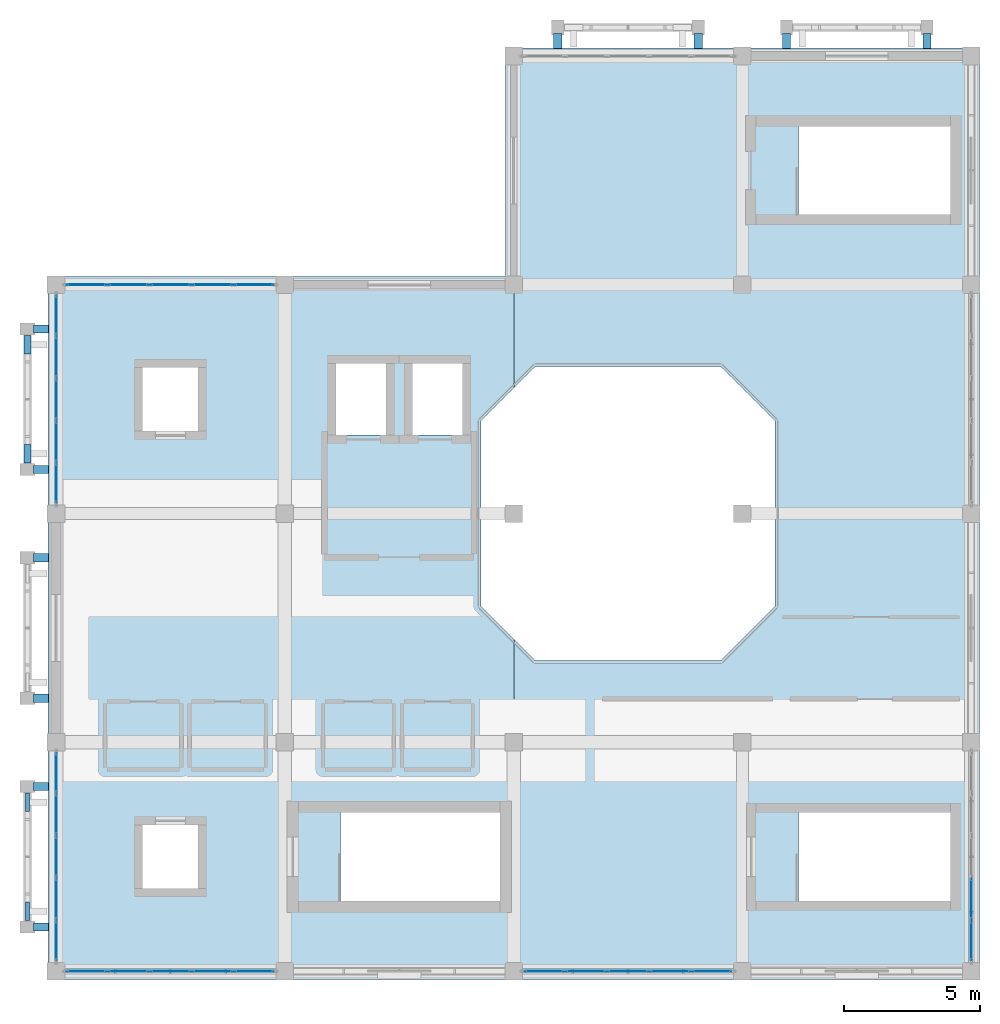
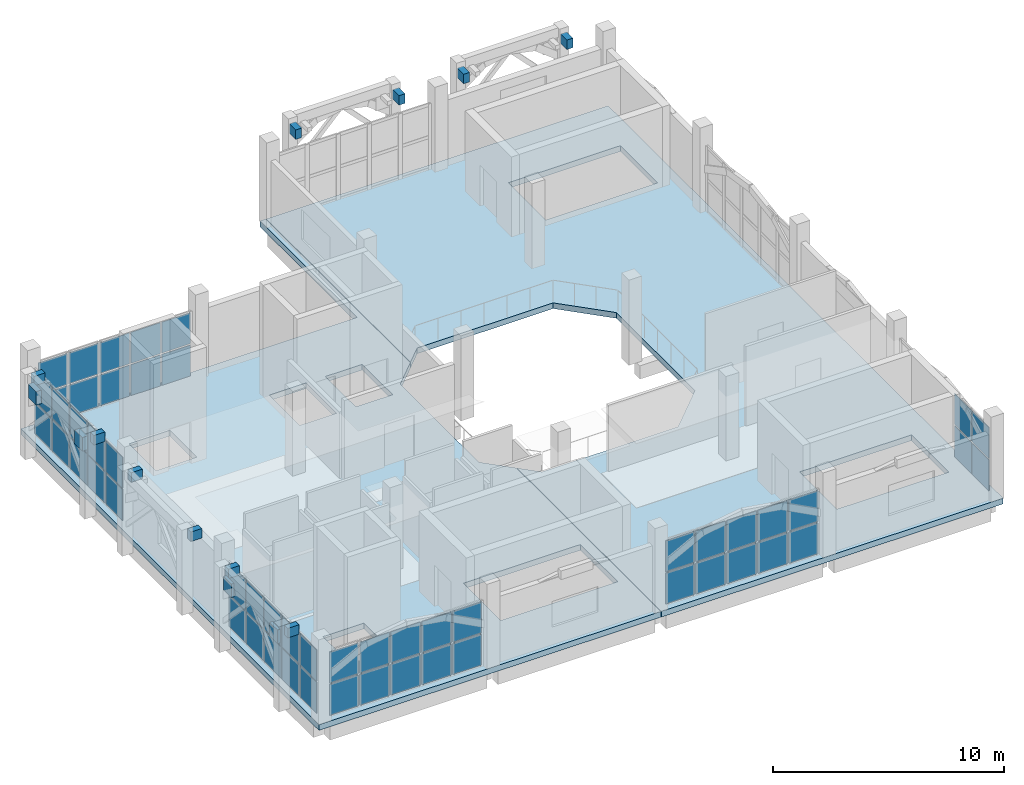
# One storey, part 12 of 16: 58 plates, 10 beams, 2 slabs, 6 elements without a shape of their own.
"""IFC4 building model written with IfcOpenShell, lengths in metres."""

from ifc_helpers import new_model, si_unit, direction, frame, origin, origin_2d, place, context, subcontext, project, spatial, polyline, rectangle, outline, extrude, material, layer, layer_set, material_profile, profile_set, type_object, element, aggregate, save


model = new_model("IFC4")

# Units and contexts
model_context = context("Model", 3, precision=1e-05, world=origin(), true_north=direction((0.0, 1.0)))
body_context = subcontext(model_context, "Body", "Model", "MODEL_VIEW")
ifc_project = project(units=[si_unit("LENGTHUNIT", "METRE"), si_unit("AREAUNIT", "SQUARE_METRE"), si_unit("VOLUMEUNIT", "CUBIC_METRE"), si_unit("PLANEANGLEUNIT", "RADIAN"), si_unit("MASSUNIT", "GRAM", prefix="KILO")], contexts=[model_context])

# Site, building, storey
site_placement = place(None, origin())
site = spatial("IfcSite", under=ifc_project, at=site_placement, CompositionType="ELEMENT")
building_placement = place(site_placement, origin())
building = spatial("IfcBuilding", under=site, at=building_placement, Name="Xazarin Passage Department Store", CompositionType="ELEMENT")
storey_placement = place(building_placement, frame((0.0, 0.0, 32.39990234375)))
storey = spatial("IfcBuildingStorey", under=building, at=storey_placement, Name="L07", CompositionType="ELEMENT", Elevation=32.39990234375)

# Beams
ifc_material_1 = material(Name="Concrete C35/45", Category="concrete")
ifc_material_profile = material_profile(ifc_material_1, rectangle(XDim=0.300048828125, YDim=0.5, at=origin_2d()), Name="RC 300x500")
ifc_profile_set = profile_set([ifc_material_profile], Name="Concrete C35/45")
beam_type = type_object("IfcBeamType", Name="STR-BM-LN300x500", PredefinedType="LINTEL", material=ifc_profile_set)
for number, where, z_axis, x_axis, name in (
    (1, (18.419921875, 110.280029296875, 3.9501953125), (0.0, 1.0, 0.0), (-1.0, 0.0, 0.0), "L07 V1 Colonnade Tie Rib 001L"),
    (2, (23.580078125, 110.280029296875, 3.9501953125), (0.0, 1.0, 0.0), (-1.0, 0.0, 0.0), "L07 V1 Colonnade Tie Rib 001R"),
    (3, (26.820068359375, 110.280029296875, 3.9501953125), (0.0, 1.0, 0.0), (-1.0, 0.0, 0.0), "L07 V1 Colonnade Tie Rib 002L"),
    (4, (31.97998046875, 110.280029296875, 3.9501953125), (0.0, 1.0, 0.0), (-1.0, 0.0, 0.0), "L07 V1 Colonnade Tie Rib 002R"),
    (5, (-0.280029296875, 78.02001953125, 3.9501953125), (-1.0, 0.0, 0.0), (0.0, -1.0, 0.0), "L07 V1 Colonnade Tie Rib 011L"),
    (6, (-0.280029296875, 83.179931640625, 3.9501953125), (-1.0, 0.0, 0.0), (0.0, -1.0, 0.0), "L07 V1 Colonnade Tie Rib 011R"),
    (7, (-0.280029296875, 86.419921875, 3.9501953125), (-1.0, 0.0, 0.0), (0.0, -1.0, 0.0), "L07 V1 Colonnade Tie Rib 012L"),
    (8, (-0.280029296875, 91.580078125, 3.9501953125), (-1.0, 0.0, 0.0), (0.0, -1.0, 0.0), "L07 V1 Colonnade Tie Rib 012R"),
    (9, (-0.280029296875, 94.820068359375, 3.9501953125), (-1.0, 0.0, 0.0), (0.0, -1.0, 0.0), "L07 V1 Colonnade Tie Rib 013L"),
    (10, (-0.280029296875, 99.97998046875, 3.9501953125), (-1.0, 0.0, 0.0), (0.0, -1.0, 0.0), "L07 V1 Colonnade Tie Rib 013R"),
):
    element("IfcBeam", number, at=place(storey_placement, frame(where, z_axis=z_axis, x_axis=x_axis)), inside=storey, type_object=beam_type, Name=name, PredefinedType="LINTEL", context=body_context, shape_type="SweptSolid", body=[
        extrude(rectangle(XDim=0.300048828125, YDim=0.5, at=origin_2d()), origin(), (0.0, 0.0, 1.0), 0.550048828125),
    ])

# Curtain wall, plates
ifc_material_2 = material(Name="Bronze anodised aluminium", Category="aluminium")
ifc_layer_1 = layer(ifc_material_2, 0.199951171875)
ifc_layer_set_1 = layer_set([ifc_layer_1], Name="Bronze anodised aluminium")
curtain_wall_type = type_object("IfcCurtainWallType", Name="ARC-CW-VIT2", PredefinedType="NOTDEFINED", material=ifc_layer_set_1)
curtain_wall_1_placement = place(storey_placement, origin())
curtain_wall_1 = element("IfcCurtainWall", 11, at=curtain_wall_1_placement, inside=storey, type_object=curtain_wall_type, Name="L07 V1 Curtain Wall 091", PredefinedType="NOTDEFINED")
ifc_material_3 = material(Name="Low-E laminated safety glass", Category="glass")
ifc_layer_2 = layer(ifc_material_3, 0.031982421875)
ifc_layer_set_2 = layer_set([ifc_layer_2], Name="Low-E laminated safety glass")
plate_type_1 = type_object("IfcPlateType", Name="ARC-CWP-GLZ32", PredefinedType="CURTAIN_PANEL", material=ifc_layer_set_2)
plate_1_placement = place(storey_placement, frame((1.11865234375, 76.39990234375, 0.0751953125), z_axis=(0.0, 0.0, 1.0), x_axis=(1.0, 0.0, 0.0)))
plate_1 = element("IfcPlate", 12, at=plate_1_placement, type_object=plate_type_1, Name="CW2 panel 1.1", PredefinedType="CURTAIN_PANEL", context=body_context, shape_type="SweptSolid", body=[
    extrude(rectangle(XDim=1.4375, YDim=0.031982421875, at=origin_2d()), origin(), (0.0, 0.0, 1.0), 1.632568359375),
])
plate_2_placement = place(storey_placement, frame((1.11865234375, 76.39990234375, 1.78271484375), z_axis=(0.0, 0.0, 1.0), x_axis=(1.0, 0.0, 0.0)))
plate_2 = element("IfcPlate", 13, at=plate_2_placement, type_object=plate_type_1, Name="CW2 panel 1.2", PredefinedType="CURTAIN_PANEL", context=body_context, shape_type="SweptSolid", body=[
    extrude(rectangle(XDim=1.4375, YDim=0.031982421875, at=origin_2d()), origin(), (0.0, 0.0, 1.0), 1.632568359375),
])
plate_3_placement = place(storey_placement, frame((2.64990234375, 76.39990234375, 0.0751953125), z_axis=(0.0, 0.0, 1.0), x_axis=(1.0, 0.0, 0.0)))
plate_3 = element("IfcPlate", 14, at=plate_3_placement, type_object=plate_type_1, Name="CW2 panel 2.1", PredefinedType="CURTAIN_PANEL", context=body_context, shape_type="SweptSolid", body=[
    extrude(rectangle(XDim=1.47509765625, YDim=0.031982421875, at=origin_2d()), origin(), (0.0, 0.0, 1.0), 1.632568359375),
])
plate_4_placement = place(storey_placement, frame((2.64990234375, 76.39990234375, 1.78271484375), z_axis=(0.0, 0.0, 1.0), x_axis=(1.0, 0.0, 0.0)))
plate_4 = element("IfcPlate", 15, at=plate_4_placement, type_object=plate_type_1, Name="CW2 panel 2.2", PredefinedType="CURTAIN_PANEL", context=body_context, shape_type="SweptSolid", body=[
    extrude(rectangle(XDim=1.47509765625, YDim=0.031982421875, at=origin_2d()), origin(), (0.0, 0.0, 1.0), 1.632568359375),
])
plate_5_placement = place(storey_placement, frame((4.199951171875, 76.39990234375, 0.0751953125), z_axis=(0.0, 0.0, 1.0), x_axis=(1.0, 0.0, 0.0)))
plate_5 = element("IfcPlate", 16, at=plate_5_placement, type_object=plate_type_1, Name="CW2 panel 3.1", PredefinedType="CURTAIN_PANEL", context=body_context, shape_type="SweptSolid", body=[
    extrude(rectangle(XDim=1.47509765625, YDim=0.031982421875, at=origin_2d()), origin(), (0.0, 0.0, 1.0), 1.632568359375),
])
plate_6_placement = place(storey_placement, frame((4.199951171875, 76.39990234375, 1.78271484375), z_axis=(0.0, 0.0, 1.0), x_axis=(1.0, 0.0, 0.0)))
plate_6 = element("IfcPlate", 17, at=plate_6_placement, type_object=plate_type_1, Name="CW2 panel 3.2", PredefinedType="CURTAIN_PANEL", context=body_context, shape_type="SweptSolid", body=[
    extrude(rectangle(XDim=1.47509765625, YDim=0.031982421875, at=origin_2d()), origin(), (0.0, 0.0, 1.0), 1.632568359375),
])
plate_7_placement = place(storey_placement, frame((5.75, 76.39990234375, 0.0751953125), z_axis=(0.0, 0.0, 1.0), x_axis=(1.0, 0.0, 0.0)))
plate_7 = element("IfcPlate", 18, at=plate_7_placement, type_object=plate_type_1, Name="CW2 panel 4.1", PredefinedType="CURTAIN_PANEL", context=body_context, shape_type="SweptSolid", body=[
    extrude(rectangle(XDim=1.47509765625, YDim=0.031982421875, at=origin_2d()), origin(), (0.0, 0.0, 1.0), 1.632568359375),
])
plate_8_placement = place(storey_placement, frame((5.75, 76.39990234375, 1.78271484375), z_axis=(0.0, 0.0, 1.0), x_axis=(1.0, 0.0, 0.0)))
plate_8 = element("IfcPlate", 19, at=plate_8_placement, type_object=plate_type_1, Name="CW2 panel 4.2", PredefinedType="CURTAIN_PANEL", context=body_context, shape_type="SweptSolid", body=[
    extrude(rectangle(XDim=1.47509765625, YDim=0.031982421875, at=origin_2d()), origin(), (0.0, 0.0, 1.0), 1.632568359375),
])
plate_9_placement = place(storey_placement, frame((7.28125, 76.39990234375, 0.0751953125), z_axis=(0.0, 0.0, 1.0), x_axis=(1.0, 0.0, 0.0)))
plate_9 = element("IfcPlate", 20, at=plate_9_placement, type_object=plate_type_1, Name="CW2 panel 5.1", PredefinedType="CURTAIN_PANEL", context=body_context, shape_type="SweptSolid", body=[
    extrude(rectangle(XDim=1.4375, YDim=0.031982421875, at=origin_2d()), origin(), (0.0, 0.0, 1.0), 1.632568359375),
])
plate_10_placement = place(storey_placement, frame((7.28125, 76.39990234375, 1.78271484375), z_axis=(0.0, 0.0, 1.0), x_axis=(1.0, 0.0, 0.0)))
plate_10 = element("IfcPlate", 21, at=plate_10_placement, type_object=plate_type_1, Name="CW2 panel 5.2", PredefinedType="CURTAIN_PANEL", context=body_context, shape_type="SweptSolid", body=[
    extrude(rectangle(XDim=1.4375, YDim=0.031982421875, at=origin_2d()), origin(), (0.0, 0.0, 1.0), 1.632568359375),
])
aggregate(curtain_wall_1, [plate_1, plate_2, plate_3, plate_4, plate_5, plate_6, plate_7, plate_8, plate_9, plate_10])

curtain_wall_2_placement = place(storey_placement, origin())
curtain_wall_2 = element("IfcCurtainWall", 22, at=curtain_wall_2_placement, inside=storey, type_object=curtain_wall_type, Name="L07 V1 Curtain Wall 092", PredefinedType="NOTDEFINED")
plate_11_placement = place(storey_placement, frame((17.918701171875, 76.39990234375, 0.0751953125), z_axis=(0.0, 0.0, 1.0), x_axis=(1.0, 0.0, 0.0)))
plate_11 = element("IfcPlate", 23, at=plate_11_placement, type_object=plate_type_1, Name="CW2 panel 1.1", PredefinedType="CURTAIN_PANEL", context=body_context, shape_type="SweptSolid", body=[
    extrude(rectangle(XDim=1.4375, YDim=0.031982421875, at=origin_2d()), origin(), (0.0, 0.0, 1.0), 1.632568359375),
])
plate_12_placement = place(storey_placement, frame((17.918701171875, 76.39990234375, 1.78271484375), z_axis=(0.0, 0.0, 1.0), x_axis=(1.0, 0.0, 0.0)))
plate_12 = element("IfcPlate", 24, at=plate_12_placement, type_object=plate_type_1, Name="CW2 panel 1.2", PredefinedType="CURTAIN_PANEL", context=body_context, shape_type="SweptSolid", body=[
    extrude(rectangle(XDim=1.4375, YDim=0.031982421875, at=origin_2d()), origin(), (0.0, 0.0, 1.0), 1.632568359375),
])
plate_13_placement = place(storey_placement, frame((19.449951171875, 76.39990234375, 0.0751953125), z_axis=(0.0, 0.0, 1.0), x_axis=(1.0, 0.0, 0.0)))
plate_13 = element("IfcPlate", 25, at=plate_13_placement, type_object=plate_type_1, Name="CW2 panel 2.1", PredefinedType="CURTAIN_PANEL", context=body_context, shape_type="SweptSolid", body=[
    extrude(rectangle(XDim=1.47509765625, YDim=0.031982421875, at=origin_2d()), origin(), (0.0, 0.0, 1.0), 1.632568359375),
])
plate_14_placement = place(storey_placement, frame((19.449951171875, 76.39990234375, 1.78271484375), z_axis=(0.0, 0.0, 1.0), x_axis=(1.0, 0.0, 0.0)))
plate_14 = element("IfcPlate", 26, at=plate_14_placement, type_object=plate_type_1, Name="CW2 panel 2.2", PredefinedType="CURTAIN_PANEL", context=body_context, shape_type="SweptSolid", body=[
    extrude(rectangle(XDim=1.47509765625, YDim=0.031982421875, at=origin_2d()), origin(), (0.0, 0.0, 1.0), 1.632568359375),
])
plate_15_placement = place(storey_placement, frame((21.0, 76.39990234375, 0.0751953125), z_axis=(0.0, 0.0, 1.0), x_axis=(1.0, 0.0, 0.0)))
plate_15 = element("IfcPlate", 27, at=plate_15_placement, type_object=plate_type_1, Name="CW2 panel 3.1", PredefinedType="CURTAIN_PANEL", context=body_context, shape_type="SweptSolid", body=[
    extrude(rectangle(XDim=1.47509765625, YDim=0.031982421875, at=origin_2d()), origin(), (0.0, 0.0, 1.0), 1.632568359375),
])
plate_16_placement = place(storey_placement, frame((21.0, 76.39990234375, 1.78271484375), z_axis=(0.0, 0.0, 1.0), x_axis=(1.0, 0.0, 0.0)))
plate_16 = element("IfcPlate", 28, at=plate_16_placement, type_object=plate_type_1, Name="CW2 panel 3.2", PredefinedType="CURTAIN_PANEL", context=body_context, shape_type="SweptSolid", body=[
    extrude(rectangle(XDim=1.47509765625, YDim=0.031982421875, at=origin_2d()), origin(), (0.0, 0.0, 1.0), 1.632568359375),
])
plate_17_placement = place(storey_placement, frame((22.550048828125, 76.39990234375, 0.0751953125), z_axis=(0.0, 0.0, 1.0), x_axis=(1.0, 0.0, 0.0)))
plate_17 = element("IfcPlate", 29, at=plate_17_placement, type_object=plate_type_1, Name="CW2 panel 4.1", PredefinedType="CURTAIN_PANEL", context=body_context, shape_type="SweptSolid", body=[
    extrude(rectangle(XDim=1.47509765625, YDim=0.031982421875, at=origin_2d()), origin(), (0.0, 0.0, 1.0), 1.632568359375),
])
plate_18_placement = place(storey_placement, frame((22.550048828125, 76.39990234375, 1.78271484375), z_axis=(0.0, 0.0, 1.0), x_axis=(1.0, 0.0, 0.0)))
plate_18 = element("IfcPlate", 30, at=plate_18_placement, type_object=plate_type_1, Name="CW2 panel 4.2", PredefinedType="CURTAIN_PANEL", context=body_context, shape_type="SweptSolid", body=[
    extrude(rectangle(XDim=1.47509765625, YDim=0.031982421875, at=origin_2d()), origin(), (0.0, 0.0, 1.0), 1.632568359375),
])
plate_19_placement = place(storey_placement, frame((24.081298828125, 76.39990234375, 0.0751953125), z_axis=(0.0, 0.0, 1.0), x_axis=(1.0, 0.0, 0.0)))
plate_19 = element("IfcPlate", 31, at=plate_19_placement, type_object=plate_type_1, Name="CW2 panel 5.1", PredefinedType="CURTAIN_PANEL", context=body_context, shape_type="SweptSolid", body=[
    extrude(rectangle(XDim=1.4375, YDim=0.031982421875, at=origin_2d()), origin(), (0.0, 0.0, 1.0), 1.632568359375),
])
plate_20_placement = place(storey_placement, frame((24.081298828125, 76.39990234375, 1.78271484375), z_axis=(0.0, 0.0, 1.0), x_axis=(1.0, 0.0, 0.0)))
plate_20 = element("IfcPlate", 32, at=plate_20_placement, type_object=plate_type_1, Name="CW2 panel 5.2", PredefinedType="CURTAIN_PANEL", context=body_context, shape_type="SweptSolid", body=[
    extrude(rectangle(XDim=1.4375, YDim=0.031982421875, at=origin_2d()), origin(), (0.0, 0.0, 1.0), 1.632568359375),
])
aggregate(curtain_wall_2, [plate_11, plate_12, plate_13, plate_14, plate_15, plate_16, plate_17, plate_18, plate_19, plate_20])

curtain_wall_3_placement = place(storey_placement, origin())
curtain_wall_3 = element("IfcCurtainWall", 33, at=curtain_wall_3_placement, inside=storey, type_object=curtain_wall_type, Name="L07 V1 Curtain Wall 093", PredefinedType="NOTDEFINED")
plate_21_placement = place(storey_placement, frame((1.11865234375, 101.60009765625, 0.0751953125), z_axis=(0.0, 0.0, 1.0), x_axis=(1.0, 0.0, 0.0)))
plate_21 = element("IfcPlate", 34, at=plate_21_placement, type_object=plate_type_1, Name="CW2 panel 1.1", PredefinedType="CURTAIN_PANEL", context=body_context, shape_type="SweptSolid", body=[
    extrude(rectangle(XDim=1.4375, YDim=0.031982421875, at=origin_2d()), origin(), (0.0, 0.0, 1.0), 1.632568359375),
])
plate_22_placement = place(storey_placement, frame((1.11865234375, 101.60009765625, 1.78271484375), z_axis=(0.0, 0.0, 1.0), x_axis=(1.0, 0.0, 0.0)))
plate_22 = element("IfcPlate", 35, at=plate_22_placement, type_object=plate_type_1, Name="CW2 panel 1.2", PredefinedType="CURTAIN_PANEL", context=body_context, shape_type="SweptSolid", body=[
    extrude(rectangle(XDim=1.4375, YDim=0.031982421875, at=origin_2d()), origin(), (0.0, 0.0, 1.0), 1.632568359375),
])
plate_23_placement = place(storey_placement, frame((2.64990234375, 101.60009765625, 0.0751953125), z_axis=(0.0, 0.0, 1.0), x_axis=(1.0, 0.0, 0.0)))
plate_23 = element("IfcPlate", 36, at=plate_23_placement, type_object=plate_type_1, Name="CW2 panel 2.1", PredefinedType="CURTAIN_PANEL", context=body_context, shape_type="SweptSolid", body=[
    extrude(rectangle(XDim=1.47509765625, YDim=0.031982421875, at=origin_2d()), origin(), (0.0, 0.0, 1.0), 1.632568359375),
])
plate_24_placement = place(storey_placement, frame((2.64990234375, 101.60009765625, 1.78271484375), z_axis=(0.0, 0.0, 1.0), x_axis=(1.0, 0.0, 0.0)))
plate_24 = element("IfcPlate", 37, at=plate_24_placement, type_object=plate_type_1, Name="CW2 panel 2.2", PredefinedType="CURTAIN_PANEL", context=body_context, shape_type="SweptSolid", body=[
    extrude(rectangle(XDim=1.47509765625, YDim=0.031982421875, at=origin_2d()), origin(), (0.0, 0.0, 1.0), 1.632568359375),
])
plate_25_placement = place(storey_placement, frame((4.199951171875, 101.60009765625, 0.0751953125), z_axis=(0.0, 0.0, 1.0), x_axis=(1.0, 0.0, 0.0)))
plate_25 = element("IfcPlate", 38, at=plate_25_placement, type_object=plate_type_1, Name="CW2 panel 3.1", PredefinedType="CURTAIN_PANEL", context=body_context, shape_type="SweptSolid", body=[
    extrude(rectangle(XDim=1.47509765625, YDim=0.031982421875, at=origin_2d()), origin(), (0.0, 0.0, 1.0), 1.632568359375),
])
plate_26_placement = place(storey_placement, frame((4.199951171875, 101.60009765625, 1.78271484375), z_axis=(0.0, 0.0, 1.0), x_axis=(1.0, 0.0, 0.0)))
plate_26 = element("IfcPlate", 39, at=plate_26_placement, type_object=plate_type_1, Name="CW2 panel 3.2", PredefinedType="CURTAIN_PANEL", context=body_context, shape_type="SweptSolid", body=[
    extrude(rectangle(XDim=1.47509765625, YDim=0.031982421875, at=origin_2d()), origin(), (0.0, 0.0, 1.0), 1.632568359375),
])
plate_27_placement = place(storey_placement, frame((5.75, 101.60009765625, 0.0751953125), z_axis=(0.0, 0.0, 1.0), x_axis=(1.0, 0.0, 0.0)))
plate_27 = element("IfcPlate", 40, at=plate_27_placement, type_object=plate_type_1, Name="CW2 panel 4.1", PredefinedType="CURTAIN_PANEL", context=body_context, shape_type="SweptSolid", body=[
    extrude(rectangle(XDim=1.47509765625, YDim=0.031982421875, at=origin_2d()), origin(), (0.0, 0.0, 1.0), 1.632568359375),
])
plate_28_placement = place(storey_placement, frame((5.75, 101.60009765625, 1.78271484375), z_axis=(0.0, 0.0, 1.0), x_axis=(1.0, 0.0, 0.0)))
plate_28 = element("IfcPlate", 41, at=plate_28_placement, type_object=plate_type_1, Name="CW2 panel 4.2", PredefinedType="CURTAIN_PANEL", context=body_context, shape_type="SweptSolid", body=[
    extrude(rectangle(XDim=1.47509765625, YDim=0.031982421875, at=origin_2d()), origin(), (0.0, 0.0, 1.0), 1.632568359375),
])
plate_29_placement = place(storey_placement, frame((7.28125, 101.60009765625, 0.0751953125), z_axis=(0.0, 0.0, 1.0), x_axis=(1.0, 0.0, 0.0)))
plate_29 = element("IfcPlate", 42, at=plate_29_placement, type_object=plate_type_1, Name="CW2 panel 5.1", PredefinedType="CURTAIN_PANEL", context=body_context, shape_type="SweptSolid", body=[
    extrude(rectangle(XDim=1.4375, YDim=0.031982421875, at=origin_2d()), origin(), (0.0, 0.0, 1.0), 1.632568359375),
])
plate_30_placement = place(storey_placement, frame((7.28125, 101.60009765625, 1.78271484375), z_axis=(0.0, 0.0, 1.0), x_axis=(1.0, 0.0, 0.0)))
plate_30 = element("IfcPlate", 43, at=plate_30_placement, type_object=plate_type_1, Name="CW2 panel 5.2", PredefinedType="CURTAIN_PANEL", context=body_context, shape_type="SweptSolid", body=[
    extrude(rectangle(XDim=1.4375, YDim=0.031982421875, at=origin_2d()), origin(), (0.0, 0.0, 1.0), 1.632568359375),
])
aggregate(curtain_wall_3, [plate_21, plate_22, plate_23, plate_24, plate_25, plate_26, plate_27, plate_28, plate_29, plate_30])

curtain_wall_4_placement = place(storey_placement, origin())
curtain_wall_4 = element("IfcCurtainWall", 44, at=curtain_wall_4_placement, inside=storey, type_object=curtain_wall_type, Name="L07 V1 Curtain Wall 095", PredefinedType="NOTDEFINED")
plate_31_placement = place(storey_placement, frame((0.0, 77.518798828125, 0.0751953125), z_axis=(0.0, 0.0, 1.0), x_axis=(0.0, 1.0, 0.0)))
plate_31 = element("IfcPlate", 45, at=plate_31_placement, type_object=plate_type_1, Name="CW2 panel 1.1", PredefinedType="CURTAIN_PANEL", context=body_context, shape_type="SweptSolid", body=[
    extrude(rectangle(XDim=1.4375, YDim=0.031982421875, at=origin_2d()), origin(), (0.0, 0.0, 1.0), 1.632568359375),
])
plate_32_placement = place(storey_placement, frame((0.0, 77.518798828125, 1.78271484375), z_axis=(0.0, 0.0, 1.0), x_axis=(0.0, 1.0, 0.0)))
plate_32 = element("IfcPlate", 46, at=plate_32_placement, type_object=plate_type_1, Name="CW2 panel 1.2", PredefinedType="CURTAIN_PANEL", context=body_context, shape_type="SweptSolid", body=[
    extrude(rectangle(XDim=1.4375, YDim=0.031982421875, at=origin_2d()), origin(), (0.0, 0.0, 1.0), 1.632568359375),
])
plate_33_placement = place(storey_placement, frame((0.0, 79.050048828125, 0.0751953125), z_axis=(0.0, 0.0, 1.0), x_axis=(0.0, 1.0, 0.0)))
plate_33 = element("IfcPlate", 47, at=plate_33_placement, type_object=plate_type_1, Name="CW2 panel 2.1", PredefinedType="CURTAIN_PANEL", context=body_context, shape_type="SweptSolid", body=[
    extrude(rectangle(XDim=1.47509765625, YDim=0.031982421875, at=origin_2d()), origin(), (0.0, 0.0, 1.0), 1.632568359375),
])
plate_34_placement = place(storey_placement, frame((0.0, 79.050048828125, 1.78271484375), z_axis=(0.0, 0.0, 1.0), x_axis=(0.0, 1.0, 0.0)))
plate_34 = element("IfcPlate", 48, at=plate_34_placement, type_object=plate_type_1, Name="CW2 panel 2.2", PredefinedType="CURTAIN_PANEL", context=body_context, shape_type="SweptSolid", body=[
    extrude(rectangle(XDim=1.47509765625, YDim=0.031982421875, at=origin_2d()), origin(), (0.0, 0.0, 1.0), 1.632568359375),
])
plate_35_placement = place(storey_placement, frame((0.0, 80.60009765625, 0.0751953125), z_axis=(0.0, 0.0, 1.0), x_axis=(0.0, 1.0, 0.0)))
plate_35 = element("IfcPlate", 49, at=plate_35_placement, type_object=plate_type_1, Name="CW2 panel 3.1", PredefinedType="CURTAIN_PANEL", context=body_context, shape_type="SweptSolid", body=[
    extrude(rectangle(XDim=1.47509765625, YDim=0.031982421875, at=origin_2d()), origin(), (0.0, 0.0, 1.0), 1.632568359375),
])
plate_36_placement = place(storey_placement, frame((0.0, 80.60009765625, 1.78271484375), z_axis=(0.0, 0.0, 1.0), x_axis=(0.0, 1.0, 0.0)))
plate_36 = element("IfcPlate", 50, at=plate_36_placement, type_object=plate_type_1, Name="CW2 panel 3.2", PredefinedType="CURTAIN_PANEL", context=body_context, shape_type="SweptSolid", body=[
    extrude(rectangle(XDim=1.47509765625, YDim=0.031982421875, at=origin_2d()), origin(), (0.0, 0.0, 1.0), 1.632568359375),
])
plate_37_placement = place(storey_placement, frame((0.0, 82.14990234375, 0.0751953125), z_axis=(0.0, 0.0, 1.0), x_axis=(0.0, 1.0, 0.0)))
plate_37 = element("IfcPlate", 51, at=plate_37_placement, type_object=plate_type_1, Name="CW2 panel 4.1", PredefinedType="CURTAIN_PANEL", context=body_context, shape_type="SweptSolid", body=[
    extrude(rectangle(XDim=1.47509765625, YDim=0.031982421875, at=origin_2d()), origin(), (0.0, 0.0, 1.0), 1.632568359375),
])
plate_38_placement = place(storey_placement, frame((0.0, 82.14990234375, 1.78271484375), z_axis=(0.0, 0.0, 1.0), x_axis=(0.0, 1.0, 0.0)))
plate_38 = element("IfcPlate", 52, at=plate_38_placement, type_object=plate_type_1, Name="CW2 panel 4.2", PredefinedType="CURTAIN_PANEL", context=body_context, shape_type="SweptSolid", body=[
    extrude(rectangle(XDim=1.47509765625, YDim=0.031982421875, at=origin_2d()), origin(), (0.0, 0.0, 1.0), 1.632568359375),
])
plate_39_placement = place(storey_placement, frame((0.0, 83.68115234375, 0.0751953125), z_axis=(0.0, 0.0, 1.0), x_axis=(0.0, 1.0, 0.0)))
plate_39 = element("IfcPlate", 53, at=plate_39_placement, type_object=plate_type_1, Name="CW2 panel 5.1", PredefinedType="CURTAIN_PANEL", context=body_context, shape_type="SweptSolid", body=[
    extrude(rectangle(XDim=1.4375, YDim=0.031982421875, at=origin_2d()), origin(), (0.0, 0.0, 1.0), 1.632568359375),
])
plate_40_placement = place(storey_placement, frame((0.0, 83.68115234375, 1.78271484375), z_axis=(0.0, 0.0, 1.0), x_axis=(0.0, 1.0, 0.0)))
plate_40 = element("IfcPlate", 54, at=plate_40_placement, type_object=plate_type_1, Name="CW2 panel 5.2", PredefinedType="CURTAIN_PANEL", context=body_context, shape_type="SweptSolid", body=[
    extrude(rectangle(XDim=1.4375, YDim=0.031982421875, at=origin_2d()), origin(), (0.0, 0.0, 1.0), 1.632568359375),
])
aggregate(curtain_wall_4, [plate_31, plate_32, plate_33, plate_34, plate_35, plate_36, plate_37, plate_38, plate_39, plate_40])

curtain_wall_5_placement = place(storey_placement, origin())
curtain_wall_5 = element("IfcCurtainWall", 55, at=curtain_wall_5_placement, inside=storey, type_object=curtain_wall_type, Name="L07 V1 Curtain Wall 096", PredefinedType="NOTDEFINED")
plate_41_placement = place(storey_placement, frame((0.0, 94.31884765625, 0.0751953125), z_axis=(0.0, 0.0, 1.0), x_axis=(0.0, 1.0, 0.0)))
plate_41 = element("IfcPlate", 56, at=plate_41_placement, type_object=plate_type_1, Name="CW2 panel 1.1", PredefinedType="CURTAIN_PANEL", context=body_context, shape_type="SweptSolid", body=[
    extrude(rectangle(XDim=1.4375, YDim=0.031982421875, at=origin_2d()), origin(), (0.0, 0.0, 1.0), 1.632568359375),
])
plate_42_placement = place(storey_placement, frame((0.0, 94.31884765625, 1.78271484375), z_axis=(0.0, 0.0, 1.0), x_axis=(0.0, 1.0, 0.0)))
plate_42 = element("IfcPlate", 57, at=plate_42_placement, type_object=plate_type_1, Name="CW2 panel 1.2", PredefinedType="CURTAIN_PANEL", context=body_context, shape_type="SweptSolid", body=[
    extrude(rectangle(XDim=1.4375, YDim=0.031982421875, at=origin_2d()), origin(), (0.0, 0.0, 1.0), 1.632568359375),
])
plate_43_placement = place(storey_placement, frame((0.0, 95.85009765625, 0.0751953125), z_axis=(0.0, 0.0, 1.0), x_axis=(0.0, 1.0, 0.0)))
plate_43 = element("IfcPlate", 58, at=plate_43_placement, type_object=plate_type_1, Name="CW2 panel 2.1", PredefinedType="CURTAIN_PANEL", context=body_context, shape_type="SweptSolid", body=[
    extrude(rectangle(XDim=1.47509765625, YDim=0.031982421875, at=origin_2d()), origin(), (0.0, 0.0, 1.0), 1.632568359375),
])
plate_44_placement = place(storey_placement, frame((0.0, 95.85009765625, 1.78271484375), z_axis=(0.0, 0.0, 1.0), x_axis=(0.0, 1.0, 0.0)))
plate_44 = element("IfcPlate", 59, at=plate_44_placement, type_object=plate_type_1, Name="CW2 panel 2.2", PredefinedType="CURTAIN_PANEL", context=body_context, shape_type="SweptSolid", body=[
    extrude(rectangle(XDim=1.47509765625, YDim=0.031982421875, at=origin_2d()), origin(), (0.0, 0.0, 1.0), 1.632568359375),
])
plate_45_placement = place(storey_placement, frame((0.0, 97.39990234375, 0.0751953125), z_axis=(0.0, 0.0, 1.0), x_axis=(0.0, 1.0, 0.0)))
plate_45 = element("IfcPlate", 60, at=plate_45_placement, type_object=plate_type_1, Name="CW2 panel 3.1", PredefinedType="CURTAIN_PANEL", context=body_context, shape_type="SweptSolid", body=[
    extrude(rectangle(XDim=1.47509765625, YDim=0.031982421875, at=origin_2d()), origin(), (0.0, 0.0, 1.0), 1.632568359375),
])
plate_46_placement = place(storey_placement, frame((0.0, 97.39990234375, 1.78271484375), z_axis=(0.0, 0.0, 1.0), x_axis=(0.0, 1.0, 0.0)))
plate_46 = element("IfcPlate", 61, at=plate_46_placement, type_object=plate_type_1, Name="CW2 panel 3.2", PredefinedType="CURTAIN_PANEL", context=body_context, shape_type="SweptSolid", body=[
    extrude(rectangle(XDim=1.47509765625, YDim=0.031982421875, at=origin_2d()), origin(), (0.0, 0.0, 1.0), 1.632568359375),
])
plate_47_placement = place(storey_placement, frame((0.0, 98.949951171875, 0.0751953125), z_axis=(0.0, 0.0, 1.0), x_axis=(0.0, 1.0, 0.0)))
plate_47 = element("IfcPlate", 62, at=plate_47_placement, type_object=plate_type_1, Name="CW2 panel 4.1", PredefinedType="CURTAIN_PANEL", context=body_context, shape_type="SweptSolid", body=[
    extrude(rectangle(XDim=1.47509765625, YDim=0.031982421875, at=origin_2d()), origin(), (0.0, 0.0, 1.0), 1.632568359375),
])
plate_48_placement = place(storey_placement, frame((0.0, 98.949951171875, 1.78271484375), z_axis=(0.0, 0.0, 1.0), x_axis=(0.0, 1.0, 0.0)))
plate_48 = element("IfcPlate", 63, at=plate_48_placement, type_object=plate_type_1, Name="CW2 panel 4.2", PredefinedType="CURTAIN_PANEL", context=body_context, shape_type="SweptSolid", body=[
    extrude(rectangle(XDim=1.47509765625, YDim=0.031982421875, at=origin_2d()), origin(), (0.0, 0.0, 1.0), 1.632568359375),
])
plate_49_placement = place(storey_placement, frame((0.0, 100.481201171875, 0.0751953125), z_axis=(0.0, 0.0, 1.0), x_axis=(0.0, 1.0, 0.0)))
plate_49 = element("IfcPlate", 64, at=plate_49_placement, type_object=plate_type_1, Name="CW2 panel 5.1", PredefinedType="CURTAIN_PANEL", context=body_context, shape_type="SweptSolid", body=[
    extrude(rectangle(XDim=1.4375, YDim=0.031982421875, at=origin_2d()), origin(), (0.0, 0.0, 1.0), 1.632568359375),
])
plate_50_placement = place(storey_placement, frame((0.0, 100.481201171875, 1.78271484375), z_axis=(0.0, 0.0, 1.0), x_axis=(0.0, 1.0, 0.0)))
plate_50 = element("IfcPlate", 65, at=plate_50_placement, type_object=plate_type_1, Name="CW2 panel 5.2", PredefinedType="CURTAIN_PANEL", context=body_context, shape_type="SweptSolid", body=[
    extrude(rectangle(XDim=1.4375, YDim=0.031982421875, at=origin_2d()), origin(), (0.0, 0.0, 1.0), 1.632568359375),
])
aggregate(curtain_wall_5, [plate_41, plate_42, plate_43, plate_44, plate_45, plate_46, plate_47, plate_48, plate_49, plate_50])

curtain_wall_6_placement = place(storey_placement, origin())
curtain_wall_6 = element("IfcCurtainWall", 66, at=curtain_wall_6_placement, inside=storey, type_object=curtain_wall_type, Name="L07 V1 Curtain Wall 097", PredefinedType="NOTDEFINED")
plate_51_placement = place(storey_placement, frame((33.60009765625, 77.518798828125, 0.0751953125), z_axis=(0.0, 0.0, 1.0), x_axis=(0.0, 1.0, 0.0)))
plate_51 = element("IfcPlate", 67, at=plate_51_placement, type_object=plate_type_1, Name="CW2 panel 1.1", PredefinedType="CURTAIN_PANEL", context=body_context, shape_type="SweptSolid", body=[
    extrude(rectangle(XDim=1.4375, YDim=0.031982421875, at=origin_2d()), origin(), (0.0, 0.0, 1.0), 1.632568359375),
])
plate_52_placement = place(storey_placement, frame((33.60009765625, 77.518798828125, 1.78271484375), z_axis=(0.0, 0.0, 1.0), x_axis=(0.0, 1.0, 0.0)))
plate_52 = element("IfcPlate", 68, at=plate_52_placement, type_object=plate_type_1, Name="CW2 panel 1.2", PredefinedType="CURTAIN_PANEL", context=body_context, shape_type="SweptSolid", body=[
    extrude(rectangle(XDim=1.4375, YDim=0.031982421875, at=origin_2d()), origin(), (0.0, 0.0, 1.0), 1.632568359375),
])
plate_53_placement = place(storey_placement, frame((33.60009765625, 79.050048828125, 0.0751953125), z_axis=(0.0, 0.0, 1.0), x_axis=(0.0, 1.0, 0.0)))
plate_53 = element("IfcPlate", 69, at=plate_53_placement, type_object=plate_type_1, Name="CW2 panel 2.1", PredefinedType="CURTAIN_PANEL", context=body_context, shape_type="SweptSolid", body=[
    extrude(rectangle(XDim=1.47509765625, YDim=0.031982421875, at=origin_2d()), origin(), (0.0, 0.0, 1.0), 1.632568359375),
])
plate_54_placement = place(storey_placement, frame((33.60009765625, 79.050048828125, 1.78271484375), z_axis=(0.0, 0.0, 1.0), x_axis=(0.0, 1.0, 0.0)))
plate_54 = element("IfcPlate", 70, at=plate_54_placement, type_object=plate_type_1, Name="CW2 panel 2.2", PredefinedType="CURTAIN_PANEL", context=body_context, shape_type="SweptSolid", body=[
    extrude(rectangle(XDim=1.47509765625, YDim=0.031982421875, at=origin_2d()), origin(), (0.0, 0.0, 1.0), 1.632568359375),
])
aggregate(curtain_wall_6, [plate_51, plate_52, plate_53, plate_54])

# Plates
ifc_material_4 = material(Name="Precast concrete C40/50", Category="concrete")
ifc_layer_3 = layer(ifc_material_4, 0.139892578125)
ifc_layer_set_3 = layer_set([ifc_layer_3], Name="Precast concrete C40/50")
plate_type_2 = type_object("IfcPlateType", Name="ARC-PLT-SCR-07", PredefinedType="USERDEFINED", material=ifc_layer_set_3)
for number, where, z_axis, x_axis, name in (
    (71, (-1.050048828125, 78.60009765625, 3.26025390625), (0.0, 0.0, 1.0), (0.0, 1.0, 0.0), "L07 V1 Arch Spandrel Tympanum 0107"),
    (72, (-1.050048828125, 82.60009765625, 3.26025390625), (0.0, 0.0, 1.0), (0.0, 1.0, 0.0), "L07 V1 Arch Spandrel Tympanum 0108"),
):
    element("IfcPlate", number, at=place(storey_placement, frame(where, z_axis=z_axis, x_axis=x_axis)), inside=storey, type_object=plate_type_2, Name=name, ObjectType="SCREEN PANEL", PredefinedType="USERDEFINED", context=body_context, shape_type="SweptSolid", body=[
        extrude(rectangle(XDim=0.679931640625, YDim=0.139892578125, at=origin_2d()), origin(), (0.0, 0.0, 1.0), 0.719970703125),
    ])
ifc_layer_4 = layer(ifc_material_4, 0.260009765625)
ifc_layer_set_4 = layer_set([ifc_layer_4], Name="Precast concrete C40/50")
plate_type_3 = type_object("IfcPlateType", Name="ARC-PLT-SCR-19", PredefinedType="USERDEFINED", material=ifc_layer_set_4)
for number, where, z_axis, x_axis, name in (
    (73, (-1.050048828125, 95.39990234375, 3.26025390625), (0.0, 0.0, 1.0), (0.0, 1.0, 0.0), "L07 V1 Arch Spandrel Tympanum 0139"),
    (74, (-1.050048828125, 99.39990234375, 3.26025390625), (0.0, 0.0, 1.0), (0.0, 1.0, 0.0), "L07 V1 Arch Spandrel Tympanum 0140"),
):
    element("IfcPlate", number, at=place(storey_placement, frame(where, z_axis=z_axis, x_axis=x_axis)), inside=storey, type_object=plate_type_3, Name=name, ObjectType="SCREEN PANEL", PredefinedType="USERDEFINED", context=body_context, shape_type="SweptSolid", body=[
        extrude(rectangle(XDim=0.679931640625, YDim=0.260009765625, at=origin_2d()), origin(), (0.0, 0.0, 1.0), 0.719970703125),
    ])

# Slabs
ifc_layer_5 = layer(ifc_material_1, 0.300048828125)
ifc_layer_set_5 = layer_set([ifc_layer_5], Name="Concrete C35/45")
slab_type = type_object("IfcSlabType", Name="STR-SLB-FLR300", PredefinedType="FLOOR", material=ifc_layer_set_5)
slab_1_placement = place(storey_placement, frame((0.0, 0.0, -0.2998046875)))
element("IfcSlab", 75, at=slab_1_placement, inside=storey, type_object=slab_type, Name="L07 V1 Suspended Floor Slab Bay 1", PredefinedType="FLOOR", context=body_context, shape_type="SweptSolid", body=[
    extrude(outline(polyline([(16.7900390625, 76.10009765625), (16.7900390625, 88.610107421875), (15.60009765625, 89.800048828125), (15.60009765625, 96.60009765625), (16.7900390625, 97.7900390625), (16.7900390625, 110.300048828125), (16.5, 110.300048828125), (16.5, 101.89990234375), (-0.300048828125, 101.89990234375), (-0.300048828125, 76.10009765625), (16.7900390625, 76.10009765625)]), holes=[polyline([(16.300048828125, 82.219970703125), (16.300048828125, 78.97998046875), (10.451904296875, 78.97998046875), (10.451904296875, 82.219970703125), (16.300048828125, 82.219970703125)]), polyline([(13.080078125, 98.719970703125), (14.919921875, 98.719970703125), (14.919921875, 96.080078125), (13.080078125, 96.080078125), (13.080078125, 98.719970703125)]), polyline([(10.280029296875, 98.719970703125), (12.1201171875, 98.719970703125), (12.1201171875, 96.080078125), (10.280029296875, 96.080078125), (10.280029296875, 98.719970703125)]), polyline([(3.179931640625, 81.77001953125), (5.219970703125, 81.77001953125), (5.219970703125, 79.429931640625), (3.179931640625, 79.429931640625), (3.179931640625, 81.77001953125)]), polyline([(3.179931640625, 98.570068359375), (5.219970703125, 98.570068359375), (5.219970703125, 96.22998046875), (3.179931640625, 96.22998046875), (3.179931640625, 98.570068359375)])]), origin(), (0.0, 0.0, 1.0), 0.2998046875),
])
slab_2_placement = place(storey_placement, frame((0.0, 0.0, -0.2998046875)))
element("IfcSlab", 76, at=slab_2_placement, inside=storey, type_object=slab_type, Name="L07 V1 Suspended Floor Slab Bay 2", PredefinedType="FLOOR", context=body_context, shape_type="SweptSolid", body=[
    extrude(outline(polyline([(33.89990234375, 76.10009765625), (33.89990234375, 110.300048828125), (16.81005859375, 110.300048828125), (16.81005859375, 97.81005859375), (17.60009765625, 98.60009765625), (24.39990234375, 98.60009765625), (26.39990234375, 96.60009765625), (26.39990234375, 89.800048828125), (24.39990234375, 87.800048828125), (17.60009765625, 87.800048828125), (16.81005859375, 88.590087890625), (16.81005859375, 76.10009765625), (33.89990234375, 76.10009765625)]), holes=[polyline([(32.85009765625, 82.219970703125), (32.85009765625, 78.97998046875), (27.251953125, 78.97998046875), (27.251953125, 82.219970703125), (32.85009765625, 82.219970703125)]), polyline([(32.85009765625, 107.419921875), (32.85009765625, 104.179931640625), (27.251953125, 104.179931640625), (27.251953125, 107.419921875), (32.85009765625, 107.419921875)])]), origin(), (0.0, 0.0, 1.0), 0.2998046875),
])

save(model, "model.ifc")
